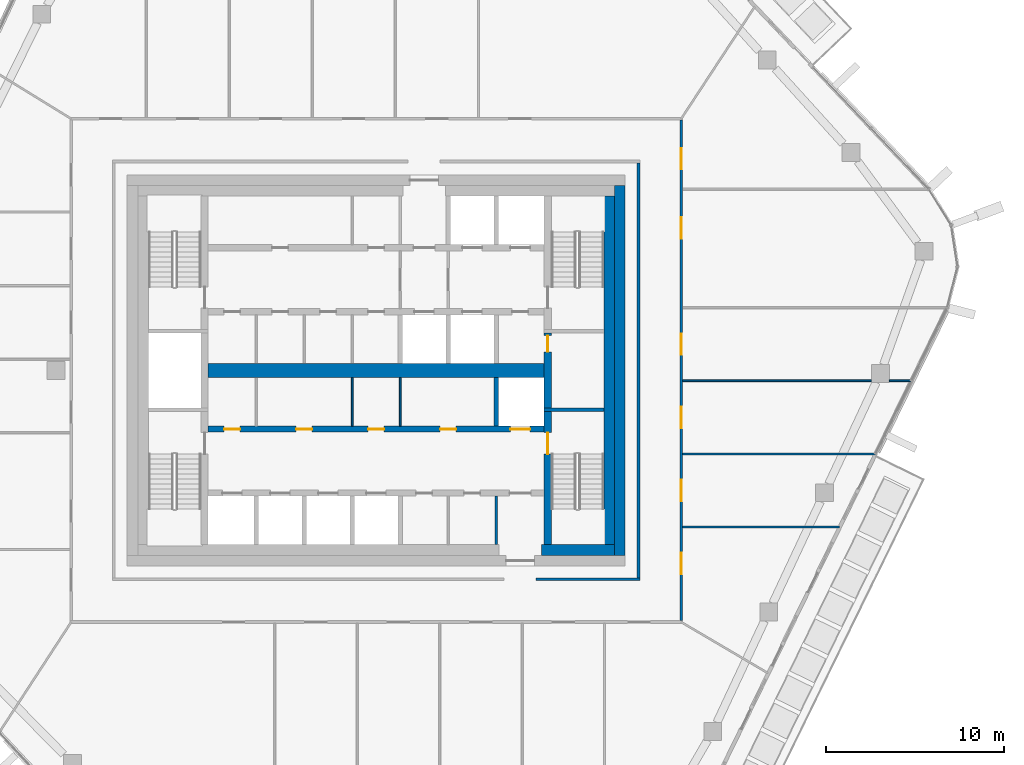
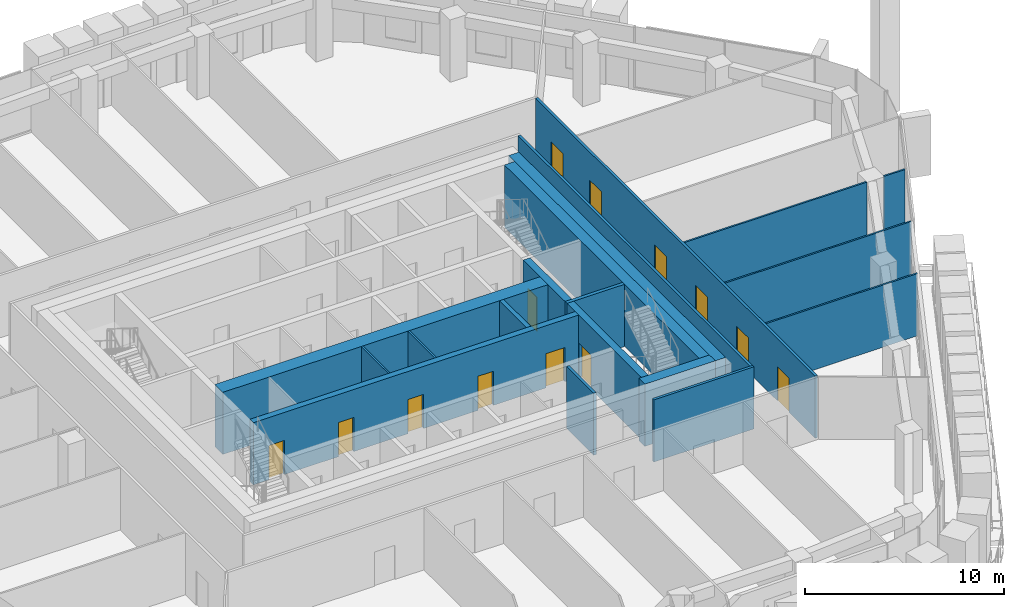
# One storey, part 14 of 24: 19 walls, 13 doors, 13 openings.
"""IFC4 building model written with IfcOpenShell, lengths in metres."""

from ifc_helpers import new_model, si_unit, direction, frame, frame_2d, origin, place, context, subcontext, project, spatial, rectangle, extrude, material, layer, layer_set, type_object, element, fill, save


model = new_model("IFC4")

# Units and contexts
model_context = context("Model", 3, precision=1e-05, world=origin(), true_north=direction((0.0, 1.0)))
body_context = subcontext(model_context, "Body", "Model", "MODEL_VIEW")
ifc_project = project(units=[si_unit("LENGTHUNIT", "METRE"), si_unit("AREAUNIT", "SQUARE_METRE"), si_unit("VOLUMEUNIT", "CUBIC_METRE"), si_unit("PLANEANGLEUNIT", "RADIAN"), si_unit("MASSUNIT", "GRAM", prefix="KILO")], contexts=[model_context])

# Site, building, storey
site_placement = place(None, origin())
site = spatial("IfcSite", under=ifc_project, at=site_placement, CompositionType="ELEMENT")
building_placement = place(site_placement, origin())
building = spatial("IfcBuilding", under=site, at=building_placement, Name="Dongbaek Canopy Tower", CompositionType="ELEMENT")
storey_placement = place(building_placement, frame((0.0, 0.0, 332.0)))
storey = spatial("IfcBuildingStorey", under=building, at=storey_placement, Name="L71", CompositionType="ELEMENT", Elevation=332.0)

# Wall
ifc_material_1 = material(Name="Concrete C60/75", Category="concrete")
ifc_layer_1 = layer(ifc_material_1, 0.800048828125)
ifc_layer_set_1 = layer_set([ifc_layer_1], Name="Core central wall 800 Concrete C60/75")
wall_type_1 = type_object("IfcWallType", Name="Core central wall 800 Concrete C60/75", PredefinedType="SHEAR", material=ifc_layer_set_1)
wall_1_placement = place(storey_placement, frame((-9.449951171875, 0.0, 0.0), z_axis=(0.0, 0.0, 1.0), x_axis=(1.0, 0.0, 0.0)))
element("IfcWall", 1, at=wall_1_placement, inside=storey, type_object=wall_type_1, Name="Core wall", PredefinedType="SHEAR", context=body_context, shape_type="SweptSolid", body=[
    extrude(rectangle(XDim=18.89990234375, YDim=0.800048828125, at=frame_2d((9.449951171875, 0.0))), origin(), (0.0, 0.0, 1.0), 3.820068359375),
])

# Wall, openings, doors
ifc_material_2 = material(Name="Concrete C60/75", Category="concrete")
ifc_layer_2 = layer(ifc_material_2, 0.35009765625)
ifc_layer_set_2 = layer_set([ifc_layer_2], Name="Core lobby wall 350 Concrete C60/75")
wall_type_2 = type_object("IfcWallType", Name="Core lobby wall 350 Concrete C60/75", PredefinedType="SHEAR", material=ifc_layer_set_2)
wall_2_placement = place(storey_placement, frame((-9.449951171875, -3.300048828125, 0.0), z_axis=(0.0, 0.0, 1.0), x_axis=(1.0, 0.0, 0.0)))
wall_2 = element("IfcWall", 2, at=wall_2_placement, inside=storey, type_object=wall_type_2, Name="Core wall", PredefinedType="SHEAR", context=body_context, shape_type="SweptSolid", body=[
    extrude(rectangle(XDim=18.89990234375, YDim=0.35009765625, at=frame_2d((9.449951171875, 0.0))), origin(), (0.0, 0.0, 1.0), 3.820068359375),
])
opening_1_placement = place(wall_2_placement, frame((17.0, 0.0, 0.0)))
opening_1 = element("IfcOpeningElement", 3, at=opening_1_placement, cuts=wall_2, Name="Opening L71-D033", PredefinedType="OPENING", context=body_context, shape_type="SweptSolid", body=[
    extrude(rectangle(XDim=1.10009765625, YDim=2.10009765625, at=frame_2d((0.550048828125, 1.050048828125))), frame((0.0, 0.18505859375, 0.0), z_axis=(0.0, -1.0, 0.0), x_axis=(1.0, 0.0, 0.0)), (0.0, 0.0, 1.0), 0.3701171875),
])
opening_2_placement = place(wall_2_placement, frame((0.89990234375, 0.0, 0.0)))
opening_2 = element("IfcOpeningElement", 4, at=opening_2_placement, cuts=wall_2, Name="Opening L71-D046", PredefinedType="OPENING", context=body_context, shape_type="SweptSolid", body=[
    extrude(rectangle(XDim=0.89990234375, YDim=2.10009765625, at=frame_2d((0.449951171875, 1.050048828125))), frame((0.0, 0.18505859375, 0.0), z_axis=(0.0, -1.0, 0.0), x_axis=(1.0, 0.0, 0.0)), (0.0, 0.0, 1.0), 0.3701171875),
])
opening_3_placement = place(wall_2_placement, frame((4.949951171875, 0.0, 0.0)))
opening_3 = element("IfcOpeningElement", 5, at=opening_3_placement, cuts=wall_2, Name="Opening L71-D047", PredefinedType="OPENING", context=body_context, shape_type="SweptSolid", body=[
    extrude(rectangle(XDim=0.89990234375, YDim=2.10009765625, at=frame_2d((0.449951171875, 1.050048828125))), frame((0.0, 0.18505859375, 0.0), z_axis=(0.0, -1.0, 0.0), x_axis=(1.0, 0.0, 0.0)), (0.0, 0.0, 1.0), 0.3701171875),
])
opening_4_placement = place(wall_2_placement, frame((9.0, 0.0, 0.0)))
opening_4 = element("IfcOpeningElement", 6, at=opening_4_placement, cuts=wall_2, Name="Opening L71-D048", PredefinedType="OPENING", context=body_context, shape_type="SweptSolid", body=[
    extrude(rectangle(XDim=0.89990234375, YDim=2.10009765625, at=frame_2d((0.449951171875, 1.050048828125))), frame((0.0, 0.18505859375, 0.0), z_axis=(0.0, -1.0, 0.0), x_axis=(1.0, 0.0, 0.0)), (0.0, 0.0, 1.0), 0.3701171875),
])
opening_5_placement = place(wall_2_placement, frame((13.050048828125, 0.0, 0.0)))
opening_5 = element("IfcOpeningElement", 7, at=opening_5_placement, cuts=wall_2, Name="Opening L71-D049", PredefinedType="OPENING", context=body_context, shape_type="SweptSolid", body=[
    extrude(rectangle(XDim=0.89990234375, YDim=2.10009765625, at=frame_2d((0.449951171875, 1.050048828125))), frame((0.0, 0.18505859375, 0.0), z_axis=(0.0, -1.0, 0.0), x_axis=(1.0, 0.0, 0.0)), (0.0, 0.0, 1.0), 0.3701171875),
])
ifc_material_3 = material(Name="Steel", Category="steel")
door_type_1 = type_object("IfcDoorType", Name="Core room door 900 x 2100", OperationType="SINGLE_SWING_LEFT", PredefinedType="DOOR", material=ifc_material_3)
door_1_placement = place(opening_2_placement, origin())
door_1 = element("IfcDoor", 8, at=door_1_placement, inside=storey, type_object=door_type_1, Name="Door L71-D046", OperationType="SINGLE_SWING_RIGHT", OverallHeight=2.10009765625, OverallWidth=0.89990234375, PredefinedType="DOOR", context=body_context, shape_type="SweptSolid", body=[
    extrude(rectangle(XDim=0.89990234375, YDim=2.10009765625, at=frame_2d((0.449951171875, 1.050048828125))), frame((0.0, 0.02490234375, 0.0), z_axis=(0.0, -1.0, 0.0), x_axis=(1.0, 0.0, 0.0)), (0.0, 0.0, 1.0), 0.050048828125),
])
fill(opening_2, door_1)
door_2_placement = place(opening_3_placement, origin())
door_2 = element("IfcDoor", 9, at=door_2_placement, inside=storey, type_object=door_type_1, Name="Door L71-D047", OperationType="SINGLE_SWING_LEFT", OverallHeight=2.10009765625, OverallWidth=0.89990234375, PredefinedType="DOOR", context=body_context, shape_type="SweptSolid", body=[
    extrude(rectangle(XDim=0.89990234375, YDim=2.10009765625, at=frame_2d((0.449951171875, 1.050048828125))), frame((0.0, 0.02490234375, 0.0), z_axis=(0.0, -1.0, 0.0), x_axis=(1.0, 0.0, 0.0)), (0.0, 0.0, 1.0), 0.050048828125),
])
fill(opening_3, door_2)
door_3_placement = place(opening_4_placement, origin())
door_3 = element("IfcDoor", 10, at=door_3_placement, inside=storey, type_object=door_type_1, Name="Door L71-D048", OperationType="SINGLE_SWING_RIGHT", OverallHeight=2.10009765625, OverallWidth=0.89990234375, PredefinedType="DOOR", context=body_context, shape_type="SweptSolid", body=[
    extrude(rectangle(XDim=0.89990234375, YDim=2.10009765625, at=frame_2d((0.449951171875, 1.050048828125))), frame((0.0, 0.02490234375, 0.0), z_axis=(0.0, -1.0, 0.0), x_axis=(1.0, 0.0, 0.0)), (0.0, 0.0, 1.0), 0.050048828125),
])
fill(opening_4, door_3)
door_4_placement = place(opening_5_placement, origin())
door_4 = element("IfcDoor", 11, at=door_4_placement, inside=storey, type_object=door_type_1, Name="Door L71-D049", OperationType="SINGLE_SWING_LEFT", OverallHeight=2.10009765625, OverallWidth=0.89990234375, PredefinedType="DOOR", context=body_context, shape_type="SweptSolid", body=[
    extrude(rectangle(XDim=0.89990234375, YDim=2.10009765625, at=frame_2d((0.449951171875, 1.050048828125))), frame((0.0, 0.02490234375, 0.0), z_axis=(0.0, -1.0, 0.0), x_axis=(1.0, 0.0, 0.0)), (0.0, 0.0, 1.0), 0.050048828125),
])
fill(opening_5, door_4)
ifc_material_4 = material(Name="Stainless steel", Category="steel")
door_type_2 = type_object("IfcDoorType", Name="Lift landing door 1100 x 2100", OperationType="DOUBLE_DOOR_SLIDING", PredefinedType="DOOR", material=ifc_material_4)
door_5_placement = place(opening_1_placement, origin())
door_5 = element("IfcDoor", 12, at=door_5_placement, inside=storey, type_object=door_type_2, Name="Landing door SV2", OperationType="DOUBLE_DOOR_SLIDING", OverallHeight=2.10009765625, OverallWidth=1.10009765625, PredefinedType="DOOR", context=body_context, shape_type="SweptSolid", body=[
    extrude(rectangle(XDim=1.10009765625, YDim=2.10009765625, at=frame_2d((0.550048828125, 1.050048828125))), frame((0.0, 0.02490234375, 0.0), z_axis=(0.0, -1.0, 0.0), x_axis=(1.0, 0.0, 0.0)), (0.0, 0.0, 1.0), 0.050048828125),
])
fill(opening_1, door_5)

# Walls
ifc_material_5 = material(Name="Concrete C80/95", Category="concrete")
ifc_layer_3 = layer(ifc_material_5, 0.60009765625)
ifc_layer_set_3 = layer_set([ifc_layer_3], Name="Core outer wall 600 Concrete C80/95")
wall_type_3 = type_object("IfcWallType", Name="Core outer wall 600 Concrete C80/95", PredefinedType="SHEAR", material=ifc_layer_set_3)
wall_3_placement = place(storey_placement, frame((13.699951171875, 10.39990234375, 0.0), z_axis=(0.0, 0.0, 1.0), x_axis=(0.0, -1.0, 0.0)))
element("IfcWall", 13, at=wall_3_placement, inside=storey, type_object=wall_type_3, Name="Core wall", PredefinedType="SHEAR", context=body_context, shape_type="SweptSolid", body=[
    extrude(rectangle(XDim=20.7998046875, YDim=0.60009765625, at=frame_2d((10.39990234375, 0.0))), origin(), (0.0, 0.0, 1.0), 3.820068359375),
])
ifc_material_6 = material(Name="Concrete C60/75", Category="concrete")
ifc_layer_4 = layer(ifc_material_6, 0.60009765625)
ifc_layer_set_4 = layer_set([ifc_layer_4], Name="Core wall lining 600 Concrete C60/75")
wall_type_4 = type_object("IfcWallType", Name="Core wall lining 600 Concrete C60/75", PredefinedType="SHEAR", material=ifc_layer_set_4)
wall_4_placement = place(storey_placement, frame((13.39990234375, -10.10009765625, 0.0), z_axis=(0.0, 0.0, 1.0), x_axis=(-1.0, 0.0, 0.0)))
element("IfcWall", 14, at=wall_4_placement, inside=storey, type_object=wall_type_4, Name="Core wall lining", PredefinedType="SHEAR", context=body_context, shape_type="SweptSolid", body=[
    extrude(rectangle(XDim=4.099853515625, YDim=0.60009765625, at=frame_2d((2.0498046875, 0.0))), origin(), (0.0, 0.0, 1.0), 3.820068359375),
])
wall_5_placement = place(storey_placement, frame((13.10009765625, 9.800048828125, 0.0), z_axis=(0.0, 0.0, 1.0), x_axis=(0.0, -1.0, 0.0)))
element("IfcWall", 15, at=wall_5_placement, inside=storey, type_object=wall_type_4, Name="Core wall lining", PredefinedType="SHEAR", context=body_context, shape_type="SweptSolid", body=[
    extrude(rectangle(XDim=19.60009765625, YDim=0.60009765625, at=frame_2d((9.800048828125, 0.0))), origin(), (0.0, 0.0, 1.0), 3.820068359375),
])
ifc_material_7 = material(Name="Gypsum board partition, steel stud, 2 x 15 mm fire board", Category="steel")
ifc_layer_5 = layer(ifc_material_7, 0.14990234375)
ifc_layer_set_5 = layer_set([ifc_layer_5], Name="Fire-rated partition 150 gypsum board")
wall_type_5 = type_object("IfcWallType", Name="Fire-rated partition 150 gypsum board", PredefinedType="PARTITIONING", material=ifc_layer_set_5)
wall_6_placement = place(storey_placement, frame((9.0, -11.75, 0.0), z_axis=(0.0, 0.0, 1.0), x_axis=(1.0, 0.0, 0.0)))
element("IfcWall", 16, at=wall_6_placement, inside=storey, type_object=wall_type_5, Name="Corridor partition", PredefinedType="PARTITIONING", context=body_context, shape_type="SweptSolid", body=[
    extrude(rectangle(XDim=5.824951171875, YDim=0.14990234375, at=frame_2d((2.91259765625, 0.0))), origin(), (0.0, 0.0, 1.0), 3.820068359375),
])

# Wall, openings, doors
wall_7_placement = place(storey_placement, frame((17.14990234375, 14.074951171875, 0.0), z_axis=(0.0, 0.0, 1.0), x_axis=(0.0, -1.0, 0.0)))
wall_7 = element("IfcWall", 17, at=wall_7_placement, inside=storey, type_object=wall_type_5, Name="Corridor partition", PredefinedType="PARTITIONING", context=body_context, shape_type="SweptSolid", body=[
    extrude(rectangle(XDim=28.14990234375, YDim=0.14990234375, at=frame_2d((14.074951171875, 0.0))), origin(), (0.0, 0.0, 1.0), 3.820068359375),
])
opening_6_placement = place(wall_7_placement, frame((24.33935546875, 0.0, 0.0)))
opening_6 = element("IfcOpeningElement", 18, at=opening_6_placement, cuts=wall_7, Name="Opening L71-D010", PredefinedType="OPENING", context=body_context, shape_type="SweptSolid", body=[
    extrude(rectangle(XDim=1.199951171875, YDim=2.10009765625, at=frame_2d((0.60009765625, 1.050048828125))), frame((0.0, 0.0849609375, 0.0), z_axis=(0.0, -1.0, 0.0), x_axis=(1.0, 0.0, 0.0)), (0.0, 0.0, 1.0), 0.169921875),
])
opening_7_placement = place(wall_7_placement, frame((20.227294921875, 0.0, 0.0)))
opening_7 = element("IfcOpeningElement", 19, at=opening_7_placement, cuts=wall_7, Name="Opening L71-D011", PredefinedType="OPENING", context=body_context, shape_type="SweptSolid", body=[
    extrude(rectangle(XDim=1.199951171875, YDim=2.10009765625, at=frame_2d((0.60009765625, 1.050048828125))), frame((0.0, 0.0849609375, 0.0), z_axis=(0.0, -1.0, 0.0), x_axis=(1.0, 0.0, 0.0)), (0.0, 0.0, 1.0), 0.169921875),
])
opening_8_placement = place(wall_7_placement, frame((16.114501953125, 0.0, 0.0)))
opening_8 = element("IfcOpeningElement", 20, at=opening_8_placement, cuts=wall_7, Name="Opening L71-D012", PredefinedType="OPENING", context=body_context, shape_type="SweptSolid", body=[
    extrude(rectangle(XDim=1.199951171875, YDim=2.10009765625, at=frame_2d((0.60009765625, 1.050048828125))), frame((0.0, 0.0849609375, 0.0), z_axis=(0.0, -1.0, 0.0), x_axis=(1.0, 0.0, 0.0)), (0.0, 0.0, 1.0), 0.169921875),
])
opening_9_placement = place(wall_7_placement, frame((12.005615234375, 0.0, 0.0)))
opening_9 = element("IfcOpeningElement", 21, at=opening_9_placement, cuts=wall_7, Name="Opening L71-D013", PredefinedType="OPENING", context=body_context, shape_type="SweptSolid", body=[
    extrude(rectangle(XDim=1.199951171875, YDim=2.10009765625, at=frame_2d((0.60009765625, 1.050048828125))), frame((0.0, 0.0849609375, 0.0), z_axis=(0.0, -1.0, 0.0), x_axis=(1.0, 0.0, 0.0)), (0.0, 0.0, 1.0), 0.169921875),
])
opening_10_placement = place(wall_7_placement, frame((5.463623046875, 0.0, 0.0)))
opening_10 = element("IfcOpeningElement", 22, at=opening_10_placement, cuts=wall_7, Name="Opening L71-D014", PredefinedType="OPENING", context=body_context, shape_type="SweptSolid", body=[
    extrude(rectangle(XDim=1.199951171875, YDim=2.10009765625, at=frame_2d((0.60009765625, 1.050048828125))), frame((0.0, 0.0849609375, 0.0), z_axis=(0.0, -1.0, 0.0), x_axis=(1.0, 0.0, 0.0)), (0.0, 0.0, 1.0), 0.169921875),
])
opening_11_placement = place(wall_7_placement, frame((1.56884765625, 0.0, 0.0)))
opening_11 = element("IfcOpeningElement", 23, at=opening_11_placement, cuts=wall_7, Name="Opening L71-D015", PredefinedType="OPENING", context=body_context, shape_type="SweptSolid", body=[
    extrude(rectangle(XDim=1.199951171875, YDim=2.10009765625, at=frame_2d((0.60009765625, 1.050048828125))), frame((0.0, 0.0849609375, 0.0), z_axis=(0.0, -1.0, 0.0), x_axis=(1.0, 0.0, 0.0)), (0.0, 0.0, 1.0), 0.169921875),
])
ifc_material_8 = material(Name="Timber veneered door leaf", Category="wood")
door_type_3 = type_object("IfcDoorType", Name="Room door 1200 x 2100", OperationType="SINGLE_SWING_LEFT", PredefinedType="DOOR", material=ifc_material_8)
door_6_placement = place(opening_6_placement, origin())
door_6 = element("IfcDoor", 24, at=door_6_placement, inside=storey, type_object=door_type_3, Name="Door L71-D010", OperationType="SINGLE_SWING_LEFT", OverallHeight=2.10009765625, OverallWidth=1.199951171875, PredefinedType="DOOR", context=body_context, shape_type="SweptSolid", body=[
    extrude(rectangle(XDim=1.199951171875, YDim=2.10009765625, at=frame_2d((0.60009765625, 1.050048828125))), frame((0.0, 0.02490234375, 0.0), z_axis=(0.0, -1.0, 0.0), x_axis=(1.0, 0.0, 0.0)), (0.0, 0.0, 1.0), 0.050048828125),
])
fill(opening_6, door_6)
door_7_placement = place(opening_7_placement, origin())
door_7 = element("IfcDoor", 25, at=door_7_placement, inside=storey, type_object=door_type_3, Name="Door L71-D011", OperationType="SINGLE_SWING_RIGHT", OverallHeight=2.10009765625, OverallWidth=1.199951171875, PredefinedType="DOOR", context=body_context, shape_type="SweptSolid", body=[
    extrude(rectangle(XDim=1.199951171875, YDim=2.10009765625, at=frame_2d((0.60009765625, 1.050048828125))), frame((0.0, 0.02490234375, 0.0), z_axis=(0.0, -1.0, 0.0), x_axis=(1.0, 0.0, 0.0)), (0.0, 0.0, 1.0), 0.050048828125),
])
fill(opening_7, door_7)
door_8_placement = place(opening_8_placement, origin())
door_8 = element("IfcDoor", 26, at=door_8_placement, inside=storey, type_object=door_type_3, Name="Door L71-D012", OperationType="SINGLE_SWING_LEFT", OverallHeight=2.10009765625, OverallWidth=1.199951171875, PredefinedType="DOOR", context=body_context, shape_type="SweptSolid", body=[
    extrude(rectangle(XDim=1.199951171875, YDim=2.10009765625, at=frame_2d((0.60009765625, 1.050048828125))), frame((0.0, 0.02490234375, 0.0), z_axis=(0.0, -1.0, 0.0), x_axis=(1.0, 0.0, 0.0)), (0.0, 0.0, 1.0), 0.050048828125),
])
fill(opening_8, door_8)
door_9_placement = place(opening_9_placement, origin())
door_9 = element("IfcDoor", 27, at=door_9_placement, inside=storey, type_object=door_type_3, Name="Door L71-D013", OperationType="SINGLE_SWING_RIGHT", OverallHeight=2.10009765625, OverallWidth=1.199951171875, PredefinedType="DOOR", context=body_context, shape_type="SweptSolid", body=[
    extrude(rectangle(XDim=1.199951171875, YDim=2.10009765625, at=frame_2d((0.60009765625, 1.050048828125))), frame((0.0, 0.02490234375, 0.0), z_axis=(0.0, -1.0, 0.0), x_axis=(1.0, 0.0, 0.0)), (0.0, 0.0, 1.0), 0.050048828125),
])
fill(opening_9, door_9)
door_10_placement = place(opening_10_placement, origin())
door_10 = element("IfcDoor", 28, at=door_10_placement, inside=storey, type_object=door_type_3, Name="Door L71-D014", OperationType="SINGLE_SWING_LEFT", OverallHeight=2.10009765625, OverallWidth=1.199951171875, PredefinedType="DOOR", context=body_context, shape_type="SweptSolid", body=[
    extrude(rectangle(XDim=1.199951171875, YDim=2.10009765625, at=frame_2d((0.60009765625, 1.050048828125))), frame((0.0, 0.02490234375, 0.0), z_axis=(0.0, -1.0, 0.0), x_axis=(1.0, 0.0, 0.0)), (0.0, 0.0, 1.0), 0.050048828125),
])
fill(opening_10, door_10)
door_11_placement = place(opening_11_placement, origin())
door_11 = element("IfcDoor", 29, at=door_11_placement, inside=storey, type_object=door_type_3, Name="Door L71-D015", OperationType="SINGLE_SWING_RIGHT", OverallHeight=2.10009765625, OverallWidth=1.199951171875, PredefinedType="DOOR", context=body_context, shape_type="SweptSolid", body=[
    extrude(rectangle(XDim=1.199951171875, YDim=2.10009765625, at=frame_2d((0.60009765625, 1.050048828125))), frame((0.0, 0.02490234375, 0.0), z_axis=(0.0, -1.0, 0.0), x_axis=(1.0, 0.0, 0.0)), (0.0, 0.0, 1.0), 0.050048828125),
])
fill(opening_11, door_11)

# Walls
wall_8_placement = place(storey_placement, frame((14.75, -11.675048828125, 0.0), z_axis=(0.0, 0.0, 1.0), x_axis=(0.0, 1.0, 0.0)))
element("IfcWall", 30, at=wall_8_placement, inside=storey, type_object=wall_type_5, Name="Corridor partition", PredefinedType="PARTITIONING", context=body_context, shape_type="SweptSolid", body=[
    extrude(rectangle(XDim=23.35009765625, YDim=0.14990234375, at=frame_2d((11.675048828125, 0.0))), origin(), (0.0, 0.0, 1.0), 3.820068359375),
])
wall_9_placement = place(storey_placement, frame((6.75, -9.800048828125, 0.0), z_axis=(0.0, 0.0, 1.0), x_axis=(0.0, 1.0, 0.0)))
element("IfcWall", 31, at=wall_9_placement, inside=storey, type_object=wall_type_5, Name="Fire lobby partition", PredefinedType="PARTITIONING", context=body_context, shape_type="SweptSolid", body=[
    extrude(rectangle(XDim=2.72509765625, YDim=0.14990234375, at=frame_2d((1.362548828125, 0.0))), origin(), (0.0, 0.0, 1.0), 3.820068359375),
])
ifc_material_9 = material(Name="Concrete C40/50", Category="concrete")
ifc_layer_6 = layer(ifc_material_9, 0.25)
ifc_layer_set_6 = layer_set([ifc_layer_6], Name="Lift shaft wall 250 Concrete C40/50")
wall_type_6 = type_object("IfcWallType", Name="Lift shaft wall 250 Concrete C40/50", PredefinedType="SOLIDWALL", material=ifc_layer_set_6)
wall_10_placement = place(storey_placement, frame((6.75, -3.125, 0.0), z_axis=(0.0, 0.0, 1.0), x_axis=(0.0, 1.0, 0.0)))
element("IfcWall", 32, at=wall_10_placement, inside=storey, type_object=wall_type_6, Name="Lift shaft wall", PredefinedType="SOLIDWALL", context=body_context, shape_type="SweptSolid", body=[
    extrude(rectangle(XDim=2.72509765625, YDim=0.25, at=frame_2d((1.362548828125, 0.0))), origin(), (0.0, 0.0, 1.0), 3.820068359375),
])
ifc_material_10 = material(Name="Gypsum board partition, steel stud, 2 x 12.5 mm board", Category="steel")
ifc_layer_7 = layer(ifc_material_10, 0.10009765625)
ifc_layer_set_7 = layer_set([ifc_layer_7], Name="Partition 100 gypsum board")
wall_type_7 = type_object("IfcWallType", Name="Partition 100 gypsum board", PredefinedType="PARTITIONING", material=ifc_layer_set_7)
wall_11_placement = place(storey_placement, frame((17.22509765625, -8.80810546875, 0.0), z_axis=(0.0, 0.0, 1.0), x_axis=(1.0, 0.0, 0.0)))
element("IfcWall", 33, at=wall_11_placement, inside=storey, type_object=wall_type_7, Name="Partition", PredefinedType="PARTITIONING", context=body_context, shape_type="SweptSolid", body=[
    extrude(rectangle(XDim=8.82421875, YDim=0.10009765625, at=frame_2d((4.412109375, 0.0))), origin(), (0.0, 0.0, 1.0), 3.820068359375),
])
wall_12_placement = place(storey_placement, frame((17.22509765625, -4.696044921875, 0.0), z_axis=(0.0, 0.0, 1.0), x_axis=(1.0, 0.0, 0.0)))
element("IfcWall", 34, at=wall_12_placement, inside=storey, type_object=wall_type_7, Name="Partition", PredefinedType="PARTITIONING", context=body_context, shape_type="SweptSolid", body=[
    extrude(rectangle(XDim=10.835205078125, YDim=0.10009765625, at=frame_2d((5.41748046875, 0.0))), origin(), (0.0, 0.0, 1.0), 3.820068359375),
])
wall_13_placement = place(storey_placement, frame((17.22509765625, -0.5830078125, 0.0), z_axis=(0.0, 0.0, 1.0), x_axis=(1.0, 0.0, 0.0)))
element("IfcWall", 35, at=wall_13_placement, inside=storey, type_object=wall_type_7, Name="Partition", PredefinedType="PARTITIONING", context=body_context, shape_type="SweptSolid", body=[
    extrude(rectangle(XDim=10.6259765625, YDim=0.10009765625, at=frame_2d((5.31298828125, 0.0))), origin(), (0.0, 0.0, 1.0), 3.820068359375),
])
wall_14_placement = place(storey_placement, frame((28.85107421875, -0.5830078125, 0.0), z_axis=(0.0, 0.0, 1.0), x_axis=(1.0, 0.0, 0.0)))
element("IfcWall", 36, at=wall_14_placement, inside=storey, type_object=wall_type_7, Name="Partition", PredefinedType="PARTITIONING", context=body_context, shape_type="SweptSolid", body=[
    extrude(rectangle(XDim=1.22119140625, YDim=0.10009765625, at=frame_2d((0.610595703125, 0.0))), origin(), (0.0, 0.0, 1.0), 3.820068359375),
])
for number, where, z_axis, x_axis, name in (
    (37, (1.35009765625, -3.125, 0.0), (0.0, 0.0, 1.0), (0.0, 1.0, 0.0), "Core partition"),
    (38, (-1.35009765625, -3.125, 0.0), (0.0, 0.0, 1.0), (0.0, 1.0, 0.0), "Core partition"),
):
    element("IfcWall", number, at=place(storey_placement, frame(where, z_axis=z_axis, x_axis=x_axis)), inside=storey, type_object=wall_type_7, Name=name, PredefinedType="PARTITIONING", context=body_context, shape_type="SweptSolid", body=[
        extrude(rectangle(XDim=2.72509765625, YDim=0.10009765625, at=frame_2d((1.362548828125, 0.0))), origin(), (0.0, 0.0, 1.0), 3.820068359375),
    ])
ifc_material_11 = material(Name="Concrete C60/75", Category="concrete")
ifc_layer_8 = layer(ifc_material_11, 0.199951171875)
ifc_layer_set_8 = layer_set([ifc_layer_8], Name="Riser wall 200 Concrete C60/75")
wall_type_8 = type_object("IfcWallType", Name="Riser wall 200 Concrete C60/75", PredefinedType="SHEAR", material=ifc_layer_set_8)
wall_15_placement = place(storey_placement, frame((9.449951171875, -2.199951171875, 0.0), z_axis=(0.0, 0.0, 1.0), x_axis=(1.0, 0.0, 0.0)))
element("IfcWall", 39, at=wall_15_placement, inside=storey, type_object=wall_type_8, Name="Riser wall", PredefinedType="SHEAR", context=body_context, shape_type="SweptSolid", body=[
    extrude(rectangle(XDim=3.35009765625, YDim=0.199951171875, at=frame_2d((1.675048828125, 0.0))), origin(), (0.0, 0.0, 1.0), 3.820068359375),
])

# Wall, opening, door
ifc_material_12 = material(Name="Concrete C60/75", Category="concrete")
ifc_layer_9 = layer(ifc_material_12, 0.39990234375)
ifc_layer_set_9 = layer_set([ifc_layer_9], Name="Stair wall 400 Concrete C60/75")
wall_type_9 = type_object("IfcWallType", Name="Stair wall 400 Concrete C60/75", PredefinedType="SHEAR", material=ifc_layer_set_9)
wall_16_placement = place(storey_placement, frame((9.64990234375, -2.300048828125, 0.0), z_axis=(0.0, 0.0, 1.0), x_axis=(0.0, -1.0, 0.0)))
wall_16 = element("IfcWall", 40, at=wall_16_placement, inside=storey, type_object=wall_type_9, Name="Stair wall", PredefinedType="SHEAR", context=body_context, shape_type="SweptSolid", body=[
    extrude(rectangle(XDim=7.5, YDim=0.39990234375, at=frame_2d((3.75, 0.0))), origin(), (0.0, 0.0, 1.0), 3.820068359375),
])
opening_12_placement = place(wall_16_placement, frame((1.199951171875, 0.0, 0.0)))
opening_12 = element("IfcOpeningElement", 41, at=opening_12_placement, cuts=wall_16, Name="Opening L71-D054", PredefinedType="OPENING", context=body_context, shape_type="SweptSolid", body=[
    extrude(rectangle(XDim=1.199951171875, YDim=2.10009765625, at=frame_2d((0.60009765625, 1.050048828125))), frame((0.0, 0.2099609375, 0.0), z_axis=(0.0, -1.0, 0.0), x_axis=(1.0, 0.0, 0.0)), (0.0, 0.0, 1.0), 0.419921875),
])
ifc_material_13 = material(Name="Steel", Category="steel")
door_type_4 = type_object("IfcDoorType", Name="Stair door 1200 x 2100", OperationType="SINGLE_SWING_LEFT", PredefinedType="DOOR", material=ifc_material_13)
door_12_placement = place(opening_12_placement, origin())
door_12 = element("IfcDoor", 42, at=door_12_placement, inside=storey, type_object=door_type_4, Name="Stair B door", OperationType="SINGLE_SWING_RIGHT", OverallHeight=2.10009765625, OverallWidth=1.199951171875, PredefinedType="DOOR", context=body_context, shape_type="SweptSolid", body=[
    extrude(rectangle(XDim=1.199951171875, YDim=2.10009765625, at=frame_2d((0.60009765625, 1.050048828125))), frame((0.0, 0.02490234375, 0.0), z_axis=(0.0, -1.0, 0.0), x_axis=(1.0, 0.0, 0.0)), (0.0, 0.0, 1.0), 0.050048828125),
])
fill(opening_12, door_12)

wall_17_placement = place(storey_placement, frame((9.64990234375, 2.10009765625, 0.0), z_axis=(0.0, 0.0, 1.0), x_axis=(0.0, -1.0, 0.0)))
wall_17 = element("IfcWall", 43, at=wall_17_placement, inside=storey, type_object=wall_type_9, Name="Stair wall", PredefinedType="SHEAR", context=body_context, shape_type="SweptSolid", body=[
    extrude(rectangle(XDim=4.2001953125, YDim=0.39990234375, at=frame_2d((2.10009765625, 0.0))), origin(), (0.0, 0.0, 1.0), 3.820068359375),
])
opening_13_placement = place(wall_17_placement, frame((0.14990234375, 0.0, 0.0)))
opening_13 = element("IfcOpeningElement", 44, at=opening_13_placement, cuts=wall_17, Name="Opening L71-D025", PredefinedType="OPENING", context=body_context, shape_type="SweptSolid", body=[
    extrude(rectangle(XDim=0.89990234375, YDim=2.10009765625, at=frame_2d((0.449951171875, 1.050048828125))), frame((0.0, 0.2099609375, 0.0), z_axis=(0.0, -1.0, 0.0), x_axis=(1.0, 0.0, 0.0)), (0.0, 0.0, 1.0), 0.419921875),
])
door_13_placement = place(opening_13_placement, origin())
door_13 = element("IfcDoor", 45, at=door_13_placement, inside=storey, type_object=door_type_1, Name="Door L71-D025", OperationType="SINGLE_SWING_RIGHT", OverallHeight=2.10009765625, OverallWidth=0.89990234375, PredefinedType="DOOR", context=body_context, shape_type="SweptSolid", body=[
    extrude(rectangle(XDim=0.89990234375, YDim=2.10009765625, at=frame_2d((0.449951171875, 1.050048828125))), frame((0.0, 0.02490234375, 0.0), z_axis=(0.0, -1.0, 0.0), x_axis=(1.0, 0.0, 0.0)), (0.0, 0.0, 1.0), 0.050048828125),
])
fill(opening_13, door_13)

save(model, "model.ifc")
